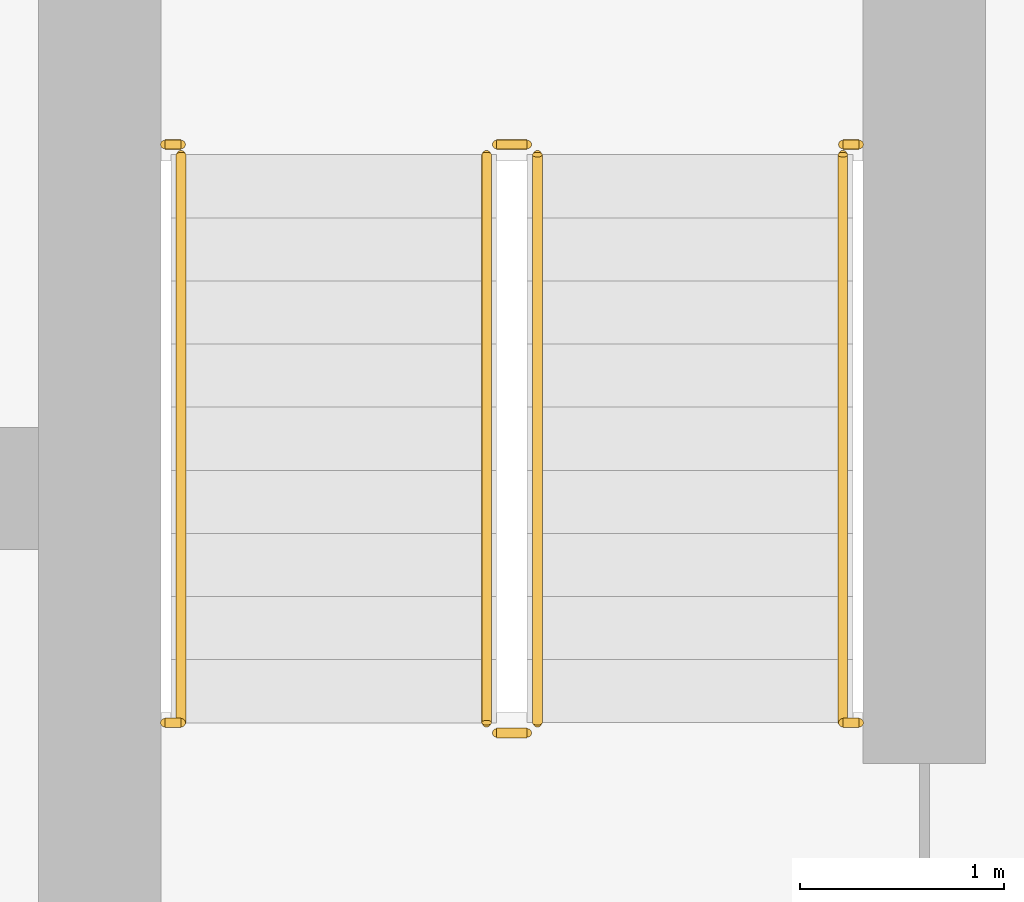
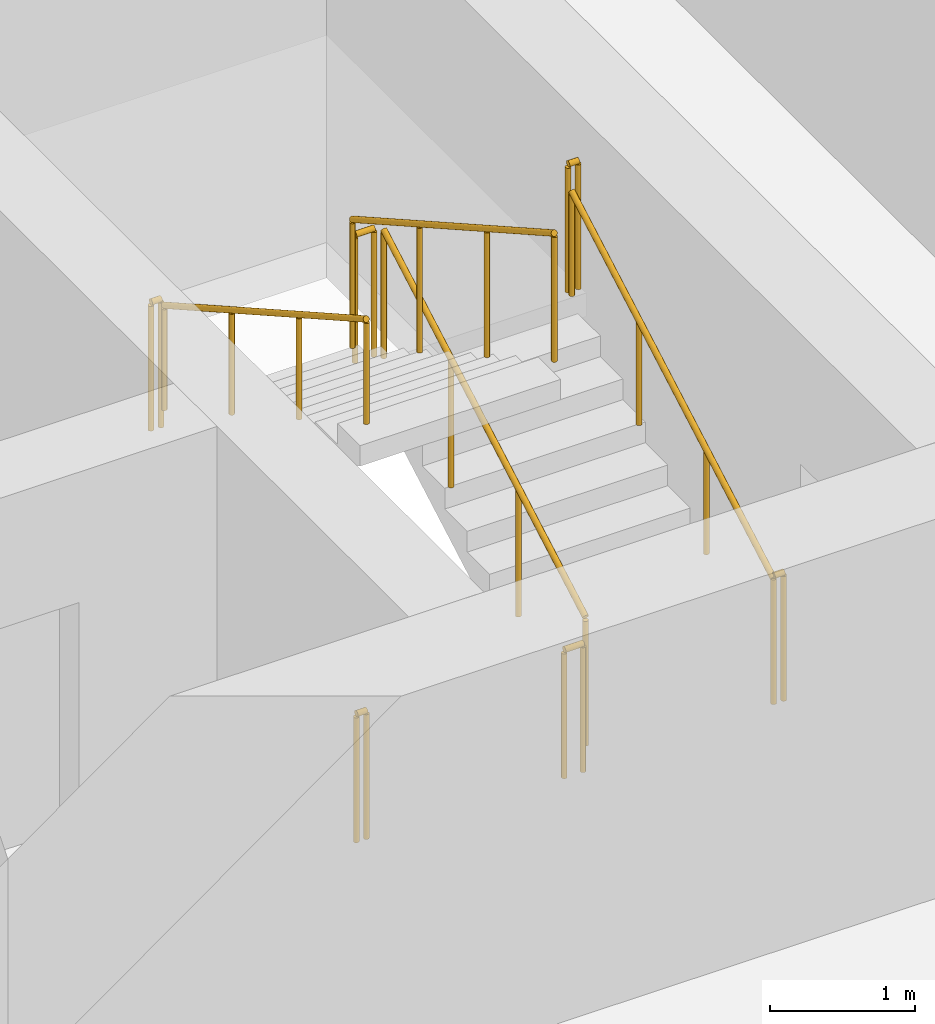
# One storey, part 20 of 22: 10 railings.
"""IFC4 building model written with IfcOpenShell, lengths in metres."""

from ifc_helpers import new_model, si_unit, direction, frame, origin, origin_2d, place, context, subcontext, project, spatial, circle, extrude, material, type_object, element, save


model = new_model("IFC4")

# Units and contexts
model_context = context("Model", 3, precision=1e-05, world=origin(), true_north=direction((0.0, 1.0)))
body_context = subcontext(model_context, "Body", "Model", "MODEL_VIEW")
ifc_project = project(units=[si_unit("LENGTHUNIT", "METRE"), si_unit("AREAUNIT", "SQUARE_METRE"), si_unit("VOLUMEUNIT", "CUBIC_METRE"), si_unit("PLANEANGLEUNIT", "RADIAN"), si_unit("MASSUNIT", "GRAM", prefix="KILO")], contexts=[model_context])

# Site, building, storey
site_placement = place(None, origin())
site = spatial("IfcSite", under=ifc_project, at=site_placement, CompositionType="ELEMENT")
building_placement = place(site_placement, origin())
building = spatial("IfcBuilding", under=site, at=building_placement, Name="Madar Terraces", CompositionType="ELEMENT")
storey_placement = place(building_placement, frame((0.0, 0.0, 156.0)))
storey = spatial("IfcBuildingStorey", under=building, at=storey_placement, Name="L40", CompositionType="ELEMENT", Elevation=156.0)

# Railings
ifc_material_1 = material(Name="Stainless steel railing", Category="steel")
railing_type_1 = type_object("IfcRailingType", Name="Stair guard 1100", PredefinedType="GUARDRAIL", material=ifc_material_1)
railing_1_placement = place(storey_placement, frame((41.449951171875, 17.60009765625, 0.175048828125)))
element("IfcRailing", 1, at=railing_1_placement, inside=storey, type_object=railing_type_1, Name="L40 ST3 stair guard 1", PredefinedType="GUARDRAIL", context=body_context, shape_type="SweptSolid", body=[
    extrude(circle(Radius=0.02392578125, at=origin_2d()), frame((0.0, 0.0, 1.076171875), z_axis=(0.0, 0.870815363784, 0.491610213684), x_axis=(-1.0, 0.0, 0.0)), (0.0, 0.0, 1.0), 3.20361328125),
    extrude(circle(Radius=0.02099609375, at=origin_2d()), origin(), (0.0, 0.0, 1.0), 1.052001953125),
    extrude(circle(Radius=0.02099609375, at=origin_2d()), frame((0.0, 0.929931640625, 0.52490234375)), (0.0, 0.0, 1.0), 1.052001953125),
    extrude(circle(Radius=0.02099609375, at=origin_2d()), frame((0.0, 1.85986328125, 1.050048828125)), (0.0, 0.0, 1.0), 1.052001953125),
    extrude(circle(Radius=0.02099609375, at=origin_2d()), frame((0.0, 2.789794921875, 1.574951171875)), (0.0, 0.0, 1.0), 1.052001953125),
])
railing_2_placement = place(storey_placement, frame((41.39990234375, 20.43994140625, 1.75)))
element("IfcRailing", 2, at=railing_2_placement, inside=storey, type_object=railing_type_1, Name="L40 ST3 stair guard 2", PredefinedType="GUARDRAIL", context=body_context, shape_type="SweptSolid", body=[
    extrude(circle(Radius=0.02392578125, at=origin_2d()), frame((0.0, 0.0, 1.076171875), z_axis=(-1.0, 0.0, 0.0), x_axis=(0.0, -1.0, 0.0)), (0.0, 0.0, 1.0), 0.14990234375),
    extrude(circle(Radius=0.02099609375, at=origin_2d()), origin(), (0.0, 0.0, 1.0), 1.052001953125),
    extrude(circle(Radius=0.02099609375, at=origin_2d()), frame((-0.14990234375, 0.0, 0.0)), (0.0, 0.0, 1.0), 1.052001953125),
])
railing_3_placement = place(storey_placement, frame((41.199951171875, 20.389892578125, 1.925048828125)))
element("IfcRailing", 3, at=railing_3_placement, inside=storey, type_object=railing_type_1, Name="L40 ST3 stair guard 3", PredefinedType="GUARDRAIL", context=body_context, shape_type="SweptSolid", body=[
    extrude(circle(Radius=0.02392578125, at=origin_2d()), frame((0.0, 0.0, 1.076171875), z_axis=(0.0, -0.870815363784, 0.491610213684), x_axis=(1.0, 0.0, 0.0)), (0.0, 0.0, 1.0), 3.20361328125),
    extrude(circle(Radius=0.02099609375, at=origin_2d()), origin(), (0.0, 0.0, 1.0), 1.052001953125),
    extrude(circle(Radius=0.02099609375, at=origin_2d()), frame((0.0, -0.929931640625, 0.52490234375)), (0.0, 0.0, 1.0), 1.052001953125),
    extrude(circle(Radius=0.02099609375, at=origin_2d()), frame((0.0, -1.85986328125, 1.050048828125)), (0.0, 0.0, 1.0), 1.052001953125),
    extrude(circle(Radius=0.02099609375, at=origin_2d()), frame((0.0, -2.789794921875, 1.574951171875)), (0.0, 0.0, 1.0), 1.052001953125),
])
railing_4_placement = place(storey_placement, frame((41.39990234375, 17.550048828125, 0.0)))
element("IfcRailing", 4, at=railing_4_placement, inside=storey, type_object=railing_type_1, Name="L40 ST3 stair guard 4", PredefinedType="GUARDRAIL", context=body_context, shape_type="SweptSolid", body=[
    extrude(circle(Radius=0.02392578125, at=origin_2d()), frame((0.0, 0.0, 1.076171875), z_axis=(-1.0, 0.0, 0.0), x_axis=(0.0, -1.0, 0.0)), (0.0, 0.0, 1.0), 0.14990234375),
    extrude(circle(Radius=0.02099609375, at=origin_2d()), origin(), (0.0, 0.0, 1.0), 1.052001953125),
    extrude(circle(Radius=0.02099609375, at=origin_2d()), frame((-0.14990234375, 0.0, 0.0)), (0.0, 0.0, 1.0), 1.052001953125),
])
railing_5_placement = place(storey_placement, frame((39.6201171875, 20.43994140625, 1.75)))
element("IfcRailing", 5, at=railing_5_placement, inside=storey, type_object=railing_type_1, Name="L40 stair guard seat 1", PredefinedType="GUARDRAIL", context=body_context, shape_type="SweptSolid", body=[
    extrude(circle(Radius=0.02392578125, at=origin_2d()), frame((0.0, 0.0, 1.076171875), z_axis=(1.0, 0.0, 0.0), x_axis=(0.0, 1.0, 0.0)), (0.0, 0.0, 1.0), 0.079833984375),
    extrude(circle(Radius=0.02099609375, at=origin_2d()), origin(), (0.0, 0.0, 1.0), 1.052001953125),
    extrude(circle(Radius=0.02099609375, at=origin_2d()), frame((0.079833984375, 0.0, 0.0)), (0.0, 0.0, 1.0), 1.052001953125),
])
railing_6_placement = place(storey_placement, frame((42.949951171875, 20.43994140625, 1.75)))
element("IfcRailing", 6, at=railing_6_placement, inside=storey, type_object=railing_type_1, Name="L40 stair guard seat 2", PredefinedType="GUARDRAIL", context=body_context, shape_type="SweptSolid", body=[
    extrude(circle(Radius=0.02392578125, at=origin_2d()), frame((0.0, 0.0, 1.076171875), z_axis=(1.0, 0.0, 0.0), x_axis=(0.0, 1.0, 0.0)), (0.0, 0.0, 1.0), 0.080078125),
    extrude(circle(Radius=0.02099609375, at=origin_2d()), origin(), (0.0, 0.0, 1.0), 1.052001953125),
    extrude(circle(Radius=0.02099609375, at=origin_2d()), frame((0.080078125, 0.0, 0.0)), (0.0, 0.0, 1.0), 1.052001953125),
])
railing_7_placement = place(storey_placement, frame((39.6201171875, 17.60009765625, 0.0)))
element("IfcRailing", 7, at=railing_7_placement, inside=storey, type_object=railing_type_1, Name="L40 stair guard floor 1", PredefinedType="GUARDRAIL", context=body_context, shape_type="SweptSolid", body=[
    extrude(circle(Radius=0.02392578125, at=origin_2d()), frame((0.0, 0.0, 1.076171875), z_axis=(1.0, 0.0, 0.0), x_axis=(0.0, 1.0, 0.0)), (0.0, 0.0, 1.0), 0.079833984375),
    extrude(circle(Radius=0.02099609375, at=origin_2d()), origin(), (0.0, 0.0, 1.0), 1.052001953125),
    extrude(circle(Radius=0.02099609375, at=origin_2d()), frame((0.079833984375, 0.0, 0.0)), (0.0, 0.0, 1.0), 1.052001953125),
])
railing_8_placement = place(storey_placement, frame((42.949951171875, 17.60009765625, 0.0)))
element("IfcRailing", 8, at=railing_8_placement, inside=storey, type_object=railing_type_1, Name="L40 stair guard floor 2", PredefinedType="GUARDRAIL", context=body_context, shape_type="SweptSolid", body=[
    extrude(circle(Radius=0.02392578125, at=origin_2d()), frame((0.0, 0.0, 1.076171875), z_axis=(1.0, 0.0, 0.0), x_axis=(0.0, 1.0, 0.0)), (0.0, 0.0, 1.0), 0.080078125),
    extrude(circle(Radius=0.02099609375, at=origin_2d()), origin(), (0.0, 0.0, 1.0), 1.052001953125),
    extrude(circle(Radius=0.02099609375, at=origin_2d()), frame((0.080078125, 0.0, 0.0)), (0.0, 0.0, 1.0), 1.052001953125),
])
ifc_material_2 = material(Name="Stainless steel railing", Category="steel")
railing_type_2 = type_object("IfcRailingType", Name="Stair handrail 900", PredefinedType="HANDRAIL", material=ifc_material_2)
railing_9_placement = place(storey_placement, frame((42.949951171875, 17.60009765625, 0.175048828125)))
element("IfcRailing", 9, at=railing_9_placement, inside=storey, type_object=railing_type_2, Name="L40 ST3 stair handrail 1", PredefinedType="HANDRAIL", context=body_context, shape_type="SweptSolid", body=[
    extrude(circle(Radius=0.02392578125, at=origin_2d()), frame((0.0, 0.0, 0.8759765625), z_axis=(0.0, 0.870815363784, 0.491610213684), x_axis=(-1.0, 0.0, 0.0)), (0.0, 0.0, 1.0), 3.20361328125),
    extrude(circle(Radius=0.02099609375, at=origin_2d()), origin(), (0.0, 0.0, 1.0), 0.851806640625),
    extrude(circle(Radius=0.02099609375, at=origin_2d()), frame((0.0, 0.929931640625, 0.52490234375)), (0.0, 0.0, 1.0), 0.851806640625),
    extrude(circle(Radius=0.02099609375, at=origin_2d()), frame((0.0, 1.85986328125, 1.050048828125)), (0.0, 0.0, 1.0), 0.851806640625),
    extrude(circle(Radius=0.02099609375, at=origin_2d()), frame((0.0, 2.789794921875, 1.574951171875)), (0.0, 0.0, 1.0), 0.851806640625),
])
railing_10_placement = place(storey_placement, frame((39.699951171875, 20.389892578125, 1.925048828125)))
element("IfcRailing", 10, at=railing_10_placement, inside=storey, type_object=railing_type_2, Name="L40 ST3 stair handrail 2", PredefinedType="HANDRAIL", context=body_context, shape_type="SweptSolid", body=[
    extrude(circle(Radius=0.02392578125, at=origin_2d()), frame((0.0, 0.0, 0.8759765625), z_axis=(0.0, -0.870815363784, 0.491610213684), x_axis=(1.0, 0.0, 0.0)), (0.0, 0.0, 1.0), 3.20361328125),
    extrude(circle(Radius=0.02099609375, at=origin_2d()), origin(), (0.0, 0.0, 1.0), 0.851806640625),
    extrude(circle(Radius=0.02099609375, at=origin_2d()), frame((0.0, -0.929931640625, 0.52490234375)), (0.0, 0.0, 1.0), 0.851806640625),
    extrude(circle(Radius=0.02099609375, at=origin_2d()), frame((0.0, -1.85986328125, 1.050048828125)), (0.0, 0.0, 1.0), 0.851806640625),
    extrude(circle(Radius=0.02099609375, at=origin_2d()), frame((0.0, -2.789794921875, 1.574951171875)), (0.0, 0.0, 1.0), 0.851806640625),
])

save(model, "model.ifc")
